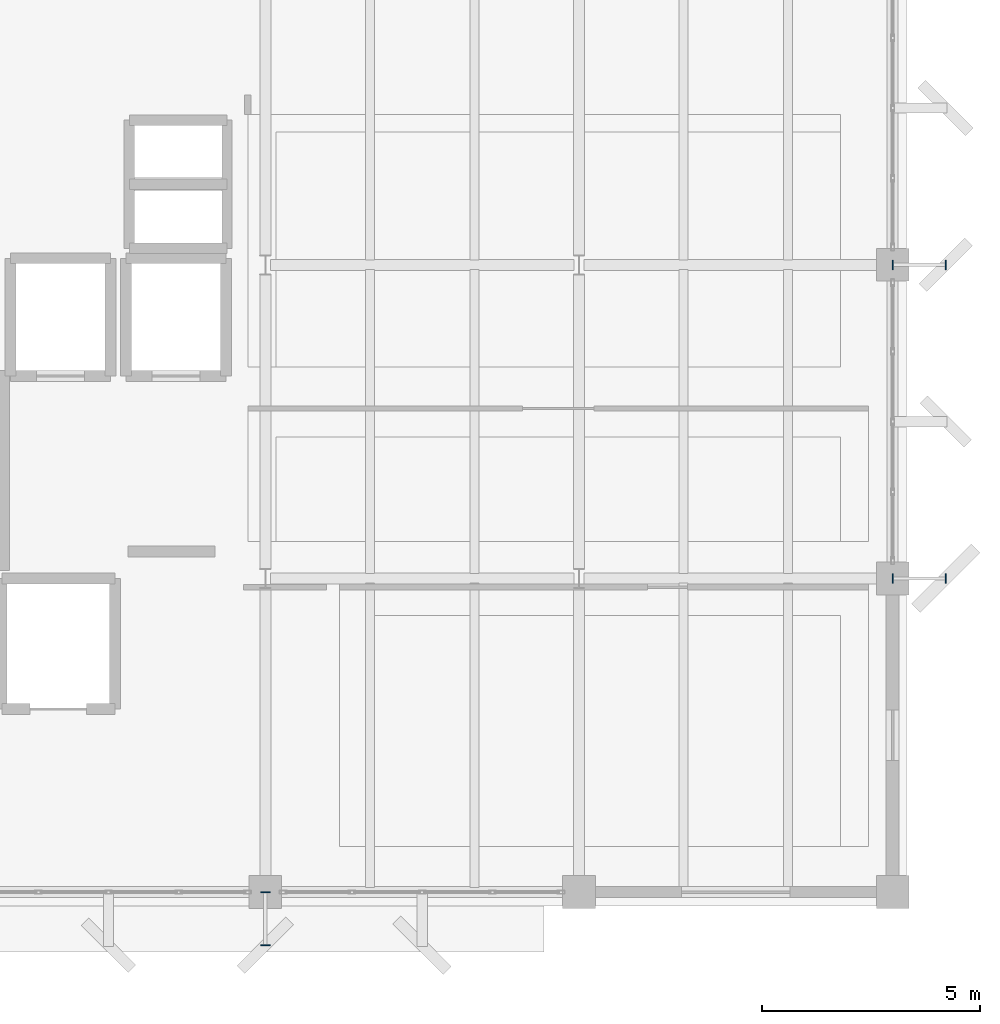
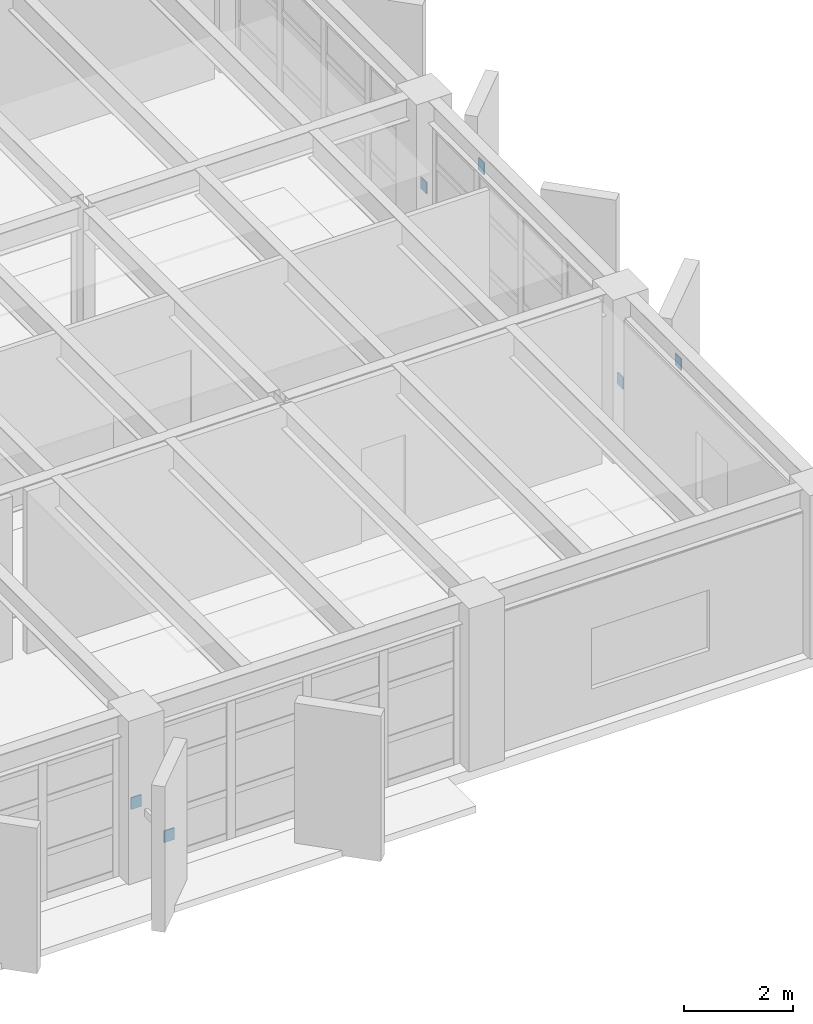
# One storey, part 20 of 24: 6 discrete accessories.
"""IFC4 building model written with IfcOpenShell, lengths in metres."""

from ifc_helpers import new_model, si_unit, direction, frame, origin, origin_2d, place, context, subcontext, project, spatial, rectangle, extrude, material, type_object, element, save


model = new_model("IFC4")

# Units and contexts
model_context = context("Model", 3, precision=1e-05, world=origin(), true_north=direction((0.0, 1.0)))
body_context = subcontext(model_context, "Body", "Model", "MODEL_VIEW")
ifc_project = project(units=[si_unit("LENGTHUNIT", "METRE"), si_unit("AREAUNIT", "SQUARE_METRE"), si_unit("VOLUMEUNIT", "CUBIC_METRE"), si_unit("PLANEANGLEUNIT", "RADIAN"), si_unit("MASSUNIT", "GRAM", prefix="KILO")], contexts=[model_context])

# Site, building, storey
site_placement = place(None, origin())
site = spatial("IfcSite", under=ifc_project, at=site_placement, CompositionType="ELEMENT")
building_placement = place(site_placement, origin())
building = spatial("IfcBuilding", under=site, at=building_placement, Name="Kandorven Conservatory and Botanical Research Centre", CompositionType="ELEMENT")
storey_placement = place(building_placement, frame((0.0, 0.0, 24.89990234375)))
storey = spatial("IfcBuildingStorey", under=building, at=storey_placement, Name="L06", CompositionType="ELEMENT", Elevation=24.89990234375)

# Discrete accessories
ifc_material = material(Name="Steel S355 (IS 2062 E350)", Category="steel")
discrete_accessory_type = type_object("IfcDiscreteAccessoryType", Name="SteelGussetPlate", PredefinedType="BRACKET", material=ifc_material)
for number, where, z_axis, x_axis, name in (
    (1, (27.60009765625, 6.0, 1.3701171875), (0.0, 0.0, 1.0), (1.0, 0.0, 0.0), "Welded steel strut end-plate GUS-01 #63A"),
    (2, (27.60009765625, 4.780029296875, 1.3701171875), (0.0, 0.0, 1.0), (1.0, 0.0, 0.0), "Welded steel strut end-plate GUS-01 #63B"),
):
    element("IfcDiscreteAccessory", number, at=place(storey_placement, frame(where, z_axis=z_axis, x_axis=x_axis)), inside=storey, type_object=discrete_accessory_type, Name=name, PredefinedType="BRACKET", context=body_context, shape_type="SweptSolid", body=[
        extrude(rectangle(XDim=0.219970703125, YDim=0.02392578125, at=origin_2d()), origin(), (0.0, 0.0, 1.0), 0.260009765625),
    ])
for number, where, z_axis, x_axis, name in (
    (3, (42.0, 13.199951171875, 1.3701171875), (0.0, 0.0, 1.0), (1.0, 0.0, 0.0), "Welded steel strut end-plate GUS-01 #69A"),
    (4, (43.219970703125, 13.199951171875, 1.3701171875), (0.0, 0.0, 1.0), (1.0, 0.0, 0.0), "Welded steel strut end-plate GUS-01 #69B"),
    (5, (42.0, 20.39990234375, 1.3701171875), (0.0, 0.0, 1.0), (1.0, 0.0, 0.0), "Welded steel strut end-plate GUS-01 #71A"),
    (6, (43.219970703125, 20.39990234375, 1.3701171875), (0.0, 0.0, 1.0), (1.0, 0.0, 0.0), "Welded steel strut end-plate GUS-01 #71B"),
):
    element("IfcDiscreteAccessory", number, at=place(storey_placement, frame(where, z_axis=z_axis, x_axis=x_axis)), inside=storey, type_object=discrete_accessory_type, Name=name, PredefinedType="BRACKET", context=body_context, shape_type="SweptSolid", body=[
        extrude(rectangle(XDim=0.02392578125, YDim=0.219970703125, at=origin_2d()), origin(), (0.0, 0.0, 1.0), 0.260009765625),
    ])

save(model, "model.ifc")
